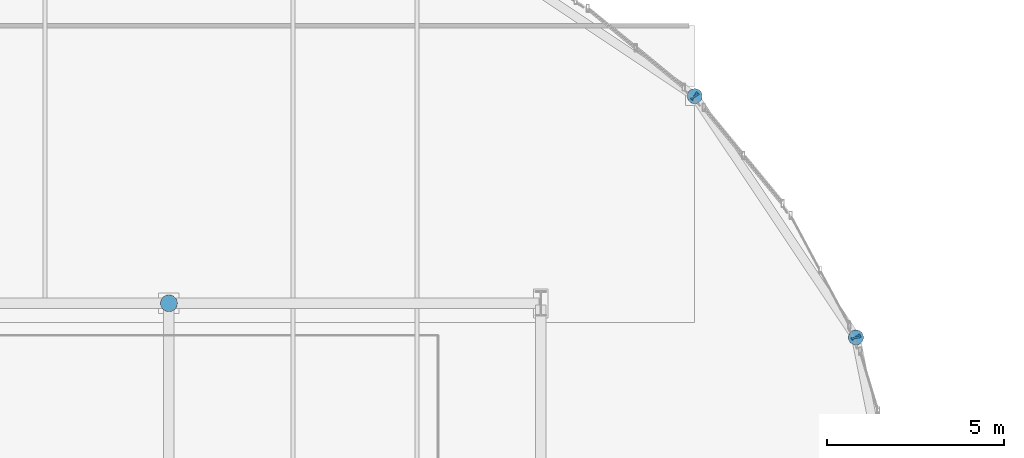
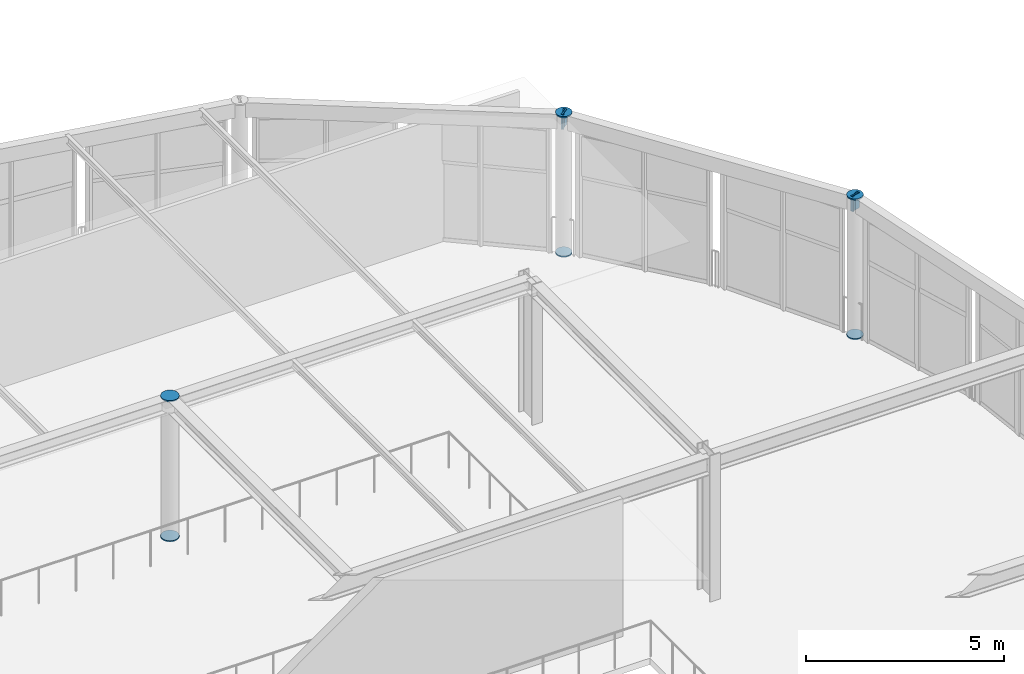
# One storey, part 76 of 105: 10 discrete accessories.
"""IFC4 building model written with IfcOpenShell, lengths in metres."""

from ifc_helpers import new_model, si_unit, direction, frame, origin, origin_2d, place, context, subcontext, project, spatial, rectangle, circle, extrude, material, element, save


model = new_model("IFC4")

# Units and contexts
model_context = context("Model", 3, precision=1e-05, world=origin(), true_north=direction((0.0, 1.0)))
body_context = subcontext(model_context, "Body", "Model", "MODEL_VIEW")
ifc_project = project(units=[si_unit("LENGTHUNIT", "METRE"), si_unit("AREAUNIT", "SQUARE_METRE"), si_unit("VOLUMEUNIT", "CUBIC_METRE"), si_unit("PLANEANGLEUNIT", "RADIAN"), si_unit("MASSUNIT", "GRAM", prefix="KILO")], contexts=[model_context])

# Site, building, storey
site_placement = place(None, origin())
site = spatial("IfcSite", under=ifc_project, at=site_placement, CompositionType="ELEMENT")
building_placement = place(site_placement, origin())
building = spatial("IfcBuilding", under=site, at=building_placement, Name="Marlcrest Central Station", CompositionType="ELEMENT")
storey_placement = place(building_placement, frame((0.0, 0.0, 15.0)))
storey = spatial("IfcBuildingStorey", under=building, at=storey_placement, Name="L03", CompositionType="ELEMENT", Elevation=15.0)

# Discrete accessories
ifc_material = material(Name="Steel S355", Category="steel")
for number, where, z_axis, x_axis, name in (
    (1, (122.84912109375, 125.34912109375, -0.014892578125), (0.0, 0.0, 1.0), (1.0, 0.0, 0.0), "endcap-col-SC-10-L03-0866-s"),
    (2, (122.84912109375, 125.34912109375, 4.28515625), (0.0, 0.0, 1.0), (1.0, 0.0, 0.0), "endcap-col-SC-10-L03-0866-e"),
    (3, (127.40087890625, 118.535888671875, -0.014892578125), (0.0, 0.0, 1.0), (1.0, 0.0, 0.0), "endcap-col-SC-10-L03-0870-s"),
    (4, (127.40087890625, 118.535888671875, 4.28515625), (0.0, 0.0, 1.0), (1.0, 0.0, 0.0), "endcap-col-SC-10-L03-0870-e"),
):
    element("IfcDiscreteAccessory", number, at=place(storey_placement, frame(where, z_axis=z_axis, x_axis=x_axis)), inside=storey, material=ifc_material, Name=name, ObjectType="END_CAP_PLATE", PredefinedType="BRACKET", context=body_context, shape_type="SweptSolid", body=[
        extrude(circle(Radius=0.211181640625, at=origin_2d()), origin(), (0.0, 0.0, 1.0), 0.0400390625),
    ])
for number, where, z_axis, x_axis, name in (
    (5, (108.0, 119.5, -0.014892578125), (0.0, 0.0, 1.0), (1.0, 0.0, 0.0), "endcap-col-SC-11-L03-0878-s"),
    (6, (108.0, 119.5, 4.300048828125), (0.0, 0.0, 1.0), (1.0, 0.0, 0.0), "endcap-col-SC-11-L03-0878-e"),
):
    element("IfcDiscreteAccessory", number, at=place(storey_placement, frame(where, z_axis=z_axis, x_axis=x_axis)), inside=storey, material=ifc_material, Name=name, ObjectType="END_CAP_PLATE", PredefinedType="BRACKET", context=body_context, shape_type="SweptSolid", body=[
        extrude(circle(Radius=0.236572265625, at=origin_2d()), origin(), (0.0, 0.0, 1.0), 0.0400390625),
    ])
for number, where, z_axis, x_axis, name in (
    (7, (122.828369140625, 125.363037109375, 4.10009765625), (0.831508991937, -0.55551129271, 0.0), (0.55551129271, 0.831508991937, 0.0), "endcap-bm-SP-02-L03-01523-e"),
    (8, (122.8408203125, 125.361572265625, 4.10009765625), (0.55551129271, -0.831508991937, 0.0), (0.831508991937, 0.55551129271, 0.0), "endcap-bm-SP-02-L03-01524-s"),
    (9, (127.386962890625, 118.556640625, 4.10009765625), (0.55551129271, -0.831508991937, 0.0), (0.831508991937, 0.55551129271, 0.0), "endcap-bm-SP-02-L03-01524-e"),
    (10, (127.39794921875, 118.550537109375, 4.10009765625), (0.19517056122, -0.980769316421, 0.0), (0.980769316421, 0.19517056122, 0.0), "endcap-bm-SP-02-L03-01525-s"),
):
    element("IfcDiscreteAccessory", number, at=place(storey_placement, frame(where, z_axis=z_axis, x_axis=x_axis)), inside=storey, material=ifc_material, Name=name, ObjectType="END_CAP_PLATE", PredefinedType="BRACKET", context=body_context, shape_type="SweptSolid", body=[
        extrude(rectangle(XDim=0.26611328125, YDim=0.466064453125, at=origin_2d()), origin(), (0.0, 0.0, 1.0), 0.0400390625),
    ])

save(model, "model.ifc")
